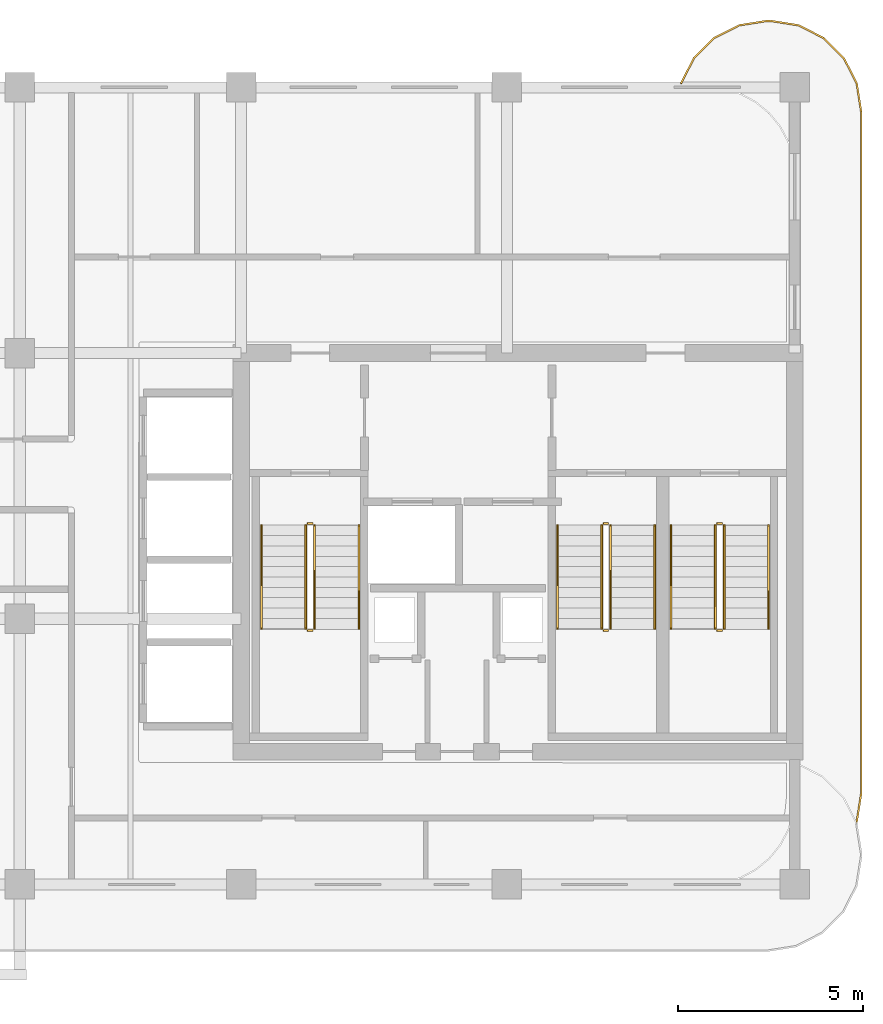
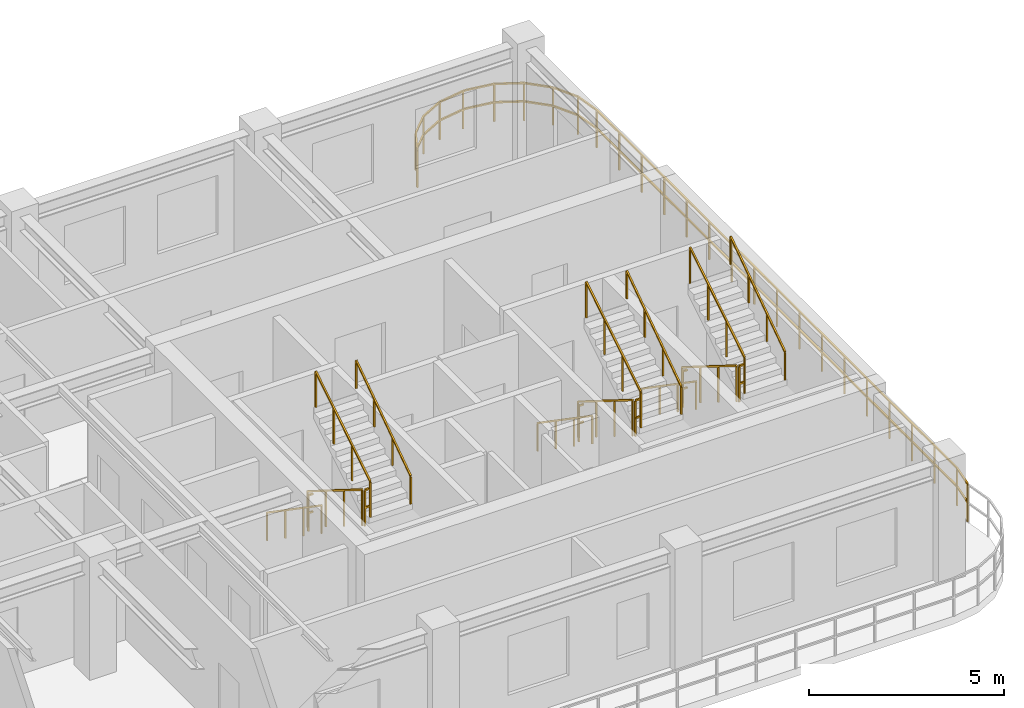
# One storey, part 7 of 7: 19 railings.
"""IFC4 building model written with IfcOpenShell, lengths in metres."""

from ifc_helpers import new_model, si_unit, derived_unit, direction, frame, origin, origin_2d, place, context, subcontext, project, spatial, rectangle, extrude, material, type_object, element, save


model = new_model("IFC4")

# Units and contexts
model_context = context("Model", 3, precision=1e-05, world=origin(), true_north=direction((0.0, 1.0)))
body_context = subcontext(model_context, "Body", "Model", "MODEL_VIEW")
ifc_project = project(units=[si_unit("LENGTHUNIT", "METRE"), si_unit("AREAUNIT", "SQUARE_METRE"), si_unit("VOLUMEUNIT", "CUBIC_METRE"), si_unit("PLANEANGLEUNIT", "RADIAN"), si_unit("MASSUNIT", "GRAM", prefix="KILO"), si_unit("THERMODYNAMICTEMPERATUREUNIT", "KELVIN"), si_unit("POWERUNIT", "WATT"), derived_unit("THERMALTRANSMITTANCEUNIT", [(si_unit("POWERUNIT", "WATT"), 1), (si_unit("AREAUNIT", "SQUARE_METRE"), -1), (si_unit("THERMODYNAMICTEMPERATUREUNIT", "KELVIN"), -1)])], contexts=[model_context])

# Site, building, storey
site_placement = place(None, origin())
site = spatial("IfcSite", under=ifc_project, at=site_placement, CompositionType="ELEMENT")
building_placement = place(site_placement, origin())
building = spatial("IfcBuilding", under=site, at=building_placement, Name="Zahravan Archway Hotel and Residences", CompositionType="ELEMENT")
storey_placement = place(building_placement, frame((0.0, 0.0, 251.949951171875)))
storey = spatial("IfcBuildingStorey", under=building, at=storey_placement, Name="L63", CompositionType="ELEMENT", Elevation=251.949951171875)

# Railings
ifc_material_1 = material(Name="Bronze & Laminated Glass Balustrade", Category="glass")
railing_type_1 = type_object("IfcRailingType", Name="RL-BAL-1200", PredefinedType="BALUSTRADE", material=ifc_material_1)
railing_1_placement = place(storey_placement, frame((46.719970703125, 21.70703125, 0.0)))
element("IfcRailing", 1, at=railing_1_placement, inside=storey, type_object=railing_type_1, Name="L63 Balustrade RL-SLB-BAL-L63-EA-1", PredefinedType="BALUSTRADE", context=body_context, shape_type="SweptSolid", body=[
    extrude(rectangle(XDim=0.048095703125, YDim=0.048095703125, at=origin_2d()), frame((0.0, 0.0, 1.17578125), z_axis=(0.453825591531, 0.891090529897, 0.0), x_axis=(-0.891090529897, 0.453825591531, 0.0)), (0.0, 0.0, 1.0), 0.7666015625),
    extrude(rectangle(XDim=0.048095703125, YDim=0.048095703125, at=origin_2d()), frame((0.0, 0.0, 0.60009765625), z_axis=(0.453825591531, 0.891090529897, 0.0), x_axis=(-0.891090529897, 0.453825591531, 0.0)), (0.0, 0.0, 1.0), 0.7666015625),
    extrude(rectangle(XDim=0.048095703125, YDim=0.048095703125, at=origin_2d()), frame((0.347900390625, 0.68310546875, 1.17578125), z_axis=(0.707106781187, 0.707106781187, 0.0), x_axis=(-0.707106781187, 0.707106781187, 0.0)), (0.0, 0.0, 1.0), 0.7666015625),
    extrude(rectangle(XDim=0.048095703125, YDim=0.048095703125, at=origin_2d()), frame((0.347900390625, 0.68310546875, 0.60009765625), z_axis=(0.707106781187, 0.707106781187, 0.0), x_axis=(-0.707106781187, 0.707106781187, 0.0)), (0.0, 0.0, 1.0), 0.7666015625),
    extrude(rectangle(XDim=0.048095703125, YDim=0.048095703125, at=origin_2d()), frame((0.889892578125, 1.22509765625, 1.17578125), z_axis=(0.891090529897, 0.453825591531, 0.0), x_axis=(-0.453825591531, 0.891090529897, 0.0)), (0.0, 0.0, 1.0), 0.7666015625),
    extrude(rectangle(XDim=0.048095703125, YDim=0.048095703125, at=origin_2d()), frame((0.889892578125, 1.22509765625, 0.60009765625), z_axis=(0.891090529897, 0.453825591531, 0.0), x_axis=(-0.453825591531, 0.891090529897, 0.0)), (0.0, 0.0, 1.0), 0.7666015625),
    extrude(rectangle(XDim=0.048095703125, YDim=0.048095703125, at=origin_2d()), frame((1.572998046875, 1.572998046875, 1.17578125), z_axis=(0.987695728695, 0.156387811283, 0.0), x_axis=(-0.156387811283, 0.987695728695, 0.0)), (0.0, 0.0, 1.0), 0.7666015625),
    extrude(rectangle(XDim=0.048095703125, YDim=0.048095703125, at=origin_2d()), frame((1.572998046875, 1.572998046875, 0.60009765625), z_axis=(0.987695728695, 0.156387811283, 0.0), x_axis=(-0.156387811283, 0.987695728695, 0.0)), (0.0, 0.0, 1.0), 0.7666015625),
    extrude(rectangle(XDim=0.048095703125, YDim=0.048095703125, at=origin_2d()), frame((2.330078125, 1.69287109375, 1.17578125), z_axis=(1.0, 0.0, 0.0), x_axis=(0.0, 1.0, 0.0)), (0.0, 0.0, 1.0), 0.099853515625),
    extrude(rectangle(XDim=0.048095703125, YDim=0.048095703125, at=origin_2d()), frame((2.330078125, 1.69287109375, 0.60009765625), z_axis=(1.0, 0.0, 0.0), x_axis=(0.0, 1.0, 0.0)), (0.0, 0.0, 1.0), 0.099853515625),
    extrude(rectangle(XDim=0.048095703125, YDim=0.048095703125, at=origin_2d()), frame((2.429931640625, 1.69287109375, 1.17578125), z_axis=(0.987695728695, -0.156387811283, 0.0), x_axis=(0.156387811283, 0.987695728695, 0.0)), (0.0, 0.0, 1.0), 0.7666015625),
    extrude(rectangle(XDim=0.048095703125, YDim=0.048095703125, at=origin_2d()), frame((2.429931640625, 1.69287109375, 0.60009765625), z_axis=(0.987695728695, -0.156387811283, 0.0), x_axis=(0.156387811283, 0.987695728695, 0.0)), (0.0, 0.0, 1.0), 0.7666015625),
    extrude(rectangle(XDim=0.048095703125, YDim=0.048095703125, at=origin_2d()), frame((3.18701171875, 1.572998046875, 1.17578125), z_axis=(0.891090529897, -0.453825591531, 0.0), x_axis=(0.453825591531, 0.891090529897, 0.0)), (0.0, 0.0, 1.0), 0.7666015625),
    extrude(rectangle(XDim=0.048095703125, YDim=0.048095703125, at=origin_2d()), frame((3.18701171875, 1.572998046875, 0.60009765625), z_axis=(0.891090529897, -0.453825591531, 0.0), x_axis=(0.453825591531, 0.891090529897, 0.0)), (0.0, 0.0, 1.0), 0.7666015625),
    extrude(rectangle(XDim=0.048095703125, YDim=0.048095703125, at=origin_2d()), frame((3.8701171875, 1.22509765625, 1.17578125), z_axis=(0.707106781187, -0.707106781187, 0.0), x_axis=(0.707106781187, 0.707106781187, 0.0)), (0.0, 0.0, 1.0), 0.7666015625),
    extrude(rectangle(XDim=0.048095703125, YDim=0.048095703125, at=origin_2d()), frame((3.8701171875, 1.22509765625, 0.60009765625), z_axis=(0.707106781187, -0.707106781187, 0.0), x_axis=(0.707106781187, 0.707106781187, 0.0)), (0.0, 0.0, 1.0), 0.7666015625),
    extrude(rectangle(XDim=0.048095703125, YDim=0.048095703125, at=origin_2d()), frame((4.412109375, 0.68310546875, 1.17578125), z_axis=(0.453825591531, -0.891090529897, 0.0), x_axis=(0.891090529897, 0.453825591531, 0.0)), (0.0, 0.0, 1.0), 0.7666015625),
    extrude(rectangle(XDim=0.048095703125, YDim=0.048095703125, at=origin_2d()), frame((4.412109375, 0.68310546875, 0.60009765625), z_axis=(0.453825591531, -0.891090529897, 0.0), x_axis=(0.891090529897, 0.453825591531, 0.0)), (0.0, 0.0, 1.0), 0.7666015625),
    extrude(rectangle(XDim=0.048095703125, YDim=0.048095703125, at=origin_2d()), frame((4.760009765625, 0.0, 1.17578125), z_axis=(0.156698507018, -0.987646484274, 0.0), x_axis=(0.987646484274, 0.156698507018, 0.0)), (0.0, 0.0, 1.0), 0.7666015625),
    extrude(rectangle(XDim=0.048095703125, YDim=0.048095703125, at=origin_2d()), frame((4.760009765625, 0.0, 0.60009765625), z_axis=(0.156698507018, -0.987646484274, 0.0), x_axis=(0.987646484274, 0.156698507018, 0.0)), (0.0, 0.0, 1.0), 0.7666015625),
    extrude(rectangle(XDim=0.048095703125, YDim=0.048095703125, at=origin_2d()), frame((4.880126953125, -0.757080078125, 1.17578125), z_axis=(0.0, -1.0, 0.0), x_axis=(1.0, 0.0, 0.0)), (0.0, 0.0, 1.0), 18.5),
    extrude(rectangle(XDim=0.048095703125, YDim=0.048095703125, at=origin_2d()), frame((4.880126953125, -0.757080078125, 0.60009765625), z_axis=(0.0, -1.0, 0.0), x_axis=(1.0, 0.0, 0.0)), (0.0, 0.0, 1.0), 18.5),
    extrude(rectangle(XDim=0.048095703125, YDim=0.048095703125, at=origin_2d()), frame((4.880126953125, -19.257080078125, 1.17578125), z_axis=(-0.156698507018, -0.987646484274, 0.0), x_axis=(0.987646484274, -0.156698507018, 0.0)), (0.0, 0.0, 1.0), 0.7666015625),
    extrude(rectangle(XDim=0.048095703125, YDim=0.048095703125, at=origin_2d()), frame((4.880126953125, -19.257080078125, 0.60009765625), z_axis=(-0.156698507018, -0.987646484274, 0.0), x_axis=(0.987646484274, -0.156698507018, 0.0)), (0.0, 0.0, 1.0), 0.7666015625),
    extrude(rectangle(XDim=0.0419921875, YDim=0.0419921875, at=origin_2d()), origin(), (0.0, 0.0, 1.0), 1.15185546875),
    extrude(rectangle(XDim=0.0419921875, YDim=0.0419921875, at=origin_2d()), frame((0.347900390625, 0.68310546875, 0.0)), (0.0, 0.0, 1.0), 1.15185546875),
    extrude(rectangle(XDim=0.0419921875, YDim=0.0419921875, at=origin_2d()), frame((0.889892578125, 1.22509765625, 0.0)), (0.0, 0.0, 1.0), 1.15185546875),
    extrude(rectangle(XDim=0.0419921875, YDim=0.0419921875, at=origin_2d()), frame((1.572998046875, 1.572998046875, 0.0)), (0.0, 0.0, 1.0), 1.15185546875),
    extrude(rectangle(XDim=0.0419921875, YDim=0.0419921875, at=origin_2d()), frame((2.330078125, 1.69287109375, 0.0)), (0.0, 0.0, 1.0), 1.15185546875),
    extrude(rectangle(XDim=0.0419921875, YDim=0.0419921875, at=origin_2d()), frame((3.18701171875, 1.572998046875, 0.0)), (0.0, 0.0, 1.0), 1.15185546875),
    extrude(rectangle(XDim=0.0419921875, YDim=0.0419921875, at=origin_2d()), frame((3.8701171875, 1.22509765625, 0.0)), (0.0, 0.0, 1.0), 1.15185546875),
    extrude(rectangle(XDim=0.0419921875, YDim=0.0419921875, at=origin_2d()), frame((4.412109375, 0.68310546875, 0.0)), (0.0, 0.0, 1.0), 1.15185546875),
    extrude(rectangle(XDim=0.0419921875, YDim=0.0419921875, at=origin_2d()), frame((4.760009765625, 0.0, 0.0)), (0.0, 0.0, 1.0), 1.15185546875),
    extrude(rectangle(XDim=0.0419921875, YDim=0.0419921875, at=origin_2d()), frame((4.880126953125, -0.757080078125, 0.0)), (0.0, 0.0, 1.0), 1.15185546875),
    extrude(rectangle(XDim=0.0419921875, YDim=0.0419921875, at=origin_2d()), frame((4.880126953125, -1.913330078125, 0.0)), (0.0, 0.0, 1.0), 1.15185546875),
    extrude(rectangle(XDim=0.0419921875, YDim=0.0419921875, at=origin_2d()), frame((4.880126953125, -3.069580078125, 0.0)), (0.0, 0.0, 1.0), 1.15185546875),
    extrude(rectangle(XDim=0.0419921875, YDim=0.0419921875, at=origin_2d()), frame((4.880126953125, -4.225830078125, 0.0)), (0.0, 0.0, 1.0), 1.15185546875),
    extrude(rectangle(XDim=0.0419921875, YDim=0.0419921875, at=origin_2d()), frame((4.880126953125, -5.382080078125, 0.0)), (0.0, 0.0, 1.0), 1.15185546875),
    extrude(rectangle(XDim=0.0419921875, YDim=0.0419921875, at=origin_2d()), frame((4.880126953125, -6.538330078125, 0.0)), (0.0, 0.0, 1.0), 1.15185546875),
    extrude(rectangle(XDim=0.0419921875, YDim=0.0419921875, at=origin_2d()), frame((4.880126953125, -7.694580078125, 0.0)), (0.0, 0.0, 1.0), 1.15185546875),
    extrude(rectangle(XDim=0.0419921875, YDim=0.0419921875, at=origin_2d()), frame((4.880126953125, -8.850830078125, 0.0)), (0.0, 0.0, 1.0), 1.15185546875),
    extrude(rectangle(XDim=0.0419921875, YDim=0.0419921875, at=origin_2d()), frame((4.880126953125, -10.007080078125, 0.0)), (0.0, 0.0, 1.0), 1.15185546875),
    extrude(rectangle(XDim=0.0419921875, YDim=0.0419921875, at=origin_2d()), frame((4.880126953125, -11.163330078125, 0.0)), (0.0, 0.0, 1.0), 1.15185546875),
    extrude(rectangle(XDim=0.0419921875, YDim=0.0419921875, at=origin_2d()), frame((4.880126953125, -12.319580078125, 0.0)), (0.0, 0.0, 1.0), 1.15185546875),
    extrude(rectangle(XDim=0.0419921875, YDim=0.0419921875, at=origin_2d()), frame((4.880126953125, -13.475830078125, 0.0)), (0.0, 0.0, 1.0), 1.15185546875),
    extrude(rectangle(XDim=0.0419921875, YDim=0.0419921875, at=origin_2d()), frame((4.880126953125, -14.632080078125, 0.0)), (0.0, 0.0, 1.0), 1.15185546875),
    extrude(rectangle(XDim=0.0419921875, YDim=0.0419921875, at=origin_2d()), frame((4.880126953125, -15.788330078125, 0.0)), (0.0, 0.0, 1.0), 1.15185546875),
    extrude(rectangle(XDim=0.0419921875, YDim=0.0419921875, at=origin_2d()), frame((4.880126953125, -16.944580078125, 0.0)), (0.0, 0.0, 1.0), 1.15185546875),
    extrude(rectangle(XDim=0.0419921875, YDim=0.0419921875, at=origin_2d()), frame((4.880126953125, -18.100830078125, 0.0)), (0.0, 0.0, 1.0), 1.15185546875),
    extrude(rectangle(XDim=0.0419921875, YDim=0.0419921875, at=origin_2d()), frame((4.880126953125, -19.257080078125, 0.0)), (0.0, 0.0, 1.0), 1.15185546875),
    extrude(rectangle(XDim=0.0419921875, YDim=0.0419921875, at=origin_2d()), frame((4.760009765625, -20.01416015625, 0.0)), (0.0, 0.0, 1.0), 1.15185546875),
])
ifc_material_2 = material(Name="Painted Tubular Steel", Category="steel")
railing_type_2 = type_object("IfcRailingType", Name="RL-STG-1150", PredefinedType="GUARDRAIL", material=ifc_material_2)
railing_2_placement = place(storey_placement, frame((36.550048828125, 9.72998046875, 0.175048828125)))
element("IfcRailing", 2, at=railing_2_placement, inside=storey, type_object=railing_type_2, Name="L63 ST-A1 stair guard 1", PredefinedType="GUARDRAIL", context=body_context, shape_type="SweptSolid", body=[
    extrude(rectangle(XDim=0.048095703125, YDim=0.048095703125, at=origin_2d()), frame((0.0, 0.0, 1.1259765625), z_axis=(0.0, -0.848002457836, 0.529992293815), x_axis=(1.0, 0.0, 0.0)), (0.0, 0.0, 1.0), 3.302001953125),
    extrude(rectangle(XDim=0.0419921875, YDim=0.0419921875, at=origin_2d()), origin(), (0.0, 0.0, 1.0), 1.101806640625),
    extrude(rectangle(XDim=0.0419921875, YDim=0.0419921875, at=origin_2d()), frame((0.0, -0.933349609375, 0.583251953125)), (0.0, 0.0, 1.0), 1.101806640625),
    extrude(rectangle(XDim=0.0419921875, YDim=0.0419921875, at=origin_2d()), frame((0.0, -1.86669921875, 1.166748046875)), (0.0, 0.0, 1.0), 1.101806640625),
    extrude(rectangle(XDim=0.0419921875, YDim=0.0419921875, at=origin_2d()), frame((0.0, -2.800048828125, 1.75)), (0.0, 0.0, 1.0), 1.101806640625),
])
railing_3_placement = place(storey_placement, frame((36.60009765625, 6.8798828125, 1.925048828125)))
element("IfcRailing", 3, at=railing_3_placement, inside=storey, type_object=railing_type_2, Name="L63 ST-A1 stair guard 2", PredefinedType="GUARDRAIL", context=body_context, shape_type="SweptSolid", body=[
    extrude(rectangle(XDim=0.048095703125, YDim=0.048095703125, at=origin_2d()), frame((0.0, 0.0, 1.1259765625), z_axis=(1.0, 0.0, 0.0), x_axis=(0.0, 1.0, 0.0)), (0.0, 0.0, 1.0), 0.139892578125),
    extrude(rectangle(XDim=0.048095703125, YDim=0.048095703125, at=origin_2d()), frame((0.0, 0.0, 0.574951171875), z_axis=(1.0, 0.0, 0.0), x_axis=(0.0, 1.0, 0.0)), (0.0, 0.0, 1.0), 0.139892578125),
    extrude(rectangle(XDim=0.0419921875, YDim=0.0419921875, at=origin_2d()), origin(), (0.0, 0.0, 1.0), 1.101806640625),
])
railing_4_placement = place(storey_placement, frame((36.7900390625, 6.929931640625, 2.10009765625)))
element("IfcRailing", 4, at=railing_4_placement, inside=storey, type_object=railing_type_2, Name="L63 ST-A1 stair guard 3", PredefinedType="GUARDRAIL", context=body_context, shape_type="SweptSolid", body=[
    extrude(rectangle(XDim=0.048095703125, YDim=0.048095703125, at=origin_2d()), frame((0.0, 0.0, 1.1259765625), z_axis=(0.0, 0.848002457836, 0.529992293815), x_axis=(-1.0, 0.0, 0.0)), (0.0, 0.0, 1.0), 3.302001953125),
    extrude(rectangle(XDim=0.0419921875, YDim=0.0419921875, at=origin_2d()), origin(), (0.0, 0.0, 1.0), 1.101806640625),
    extrude(rectangle(XDim=0.0419921875, YDim=0.0419921875, at=origin_2d()), frame((0.0, 0.933349609375, 0.583251953125)), (0.0, 0.0, 1.0), 1.101806640625),
    extrude(rectangle(XDim=0.0419921875, YDim=0.0419921875, at=origin_2d()), frame((0.0, 1.86669921875, 1.166748046875)), (0.0, 0.0, 1.0), 1.101806640625),
    extrude(rectangle(XDim=0.0419921875, YDim=0.0419921875, at=origin_2d()), frame((0.0, 2.800048828125, 1.75)), (0.0, 0.0, 1.0), 1.101806640625),
])
railing_5_placement = place(storey_placement, frame((36.60009765625, 9.780029296875, 0.0)))
element("IfcRailing", 5, at=railing_5_placement, inside=storey, type_object=railing_type_2, Name="L63 ST-A1 stair guard 4", PredefinedType="GUARDRAIL", context=body_context, shape_type="SweptSolid", body=[
    extrude(rectangle(XDim=0.048095703125, YDim=0.048095703125, at=origin_2d()), frame((0.0, 0.0, 1.1259765625), z_axis=(1.0, 0.0, 0.0), x_axis=(0.0, 1.0, 0.0)), (0.0, 0.0, 1.0), 0.139892578125),
    extrude(rectangle(XDim=0.048095703125, YDim=0.048095703125, at=origin_2d()), frame((0.0, 0.0, 0.574951171875), z_axis=(1.0, 0.0, 0.0), x_axis=(0.0, 1.0, 0.0)), (0.0, 0.0, 1.0), 0.139892578125),
    extrude(rectangle(XDim=0.0419921875, YDim=0.0419921875, at=origin_2d()), origin(), (0.0, 0.0, 1.0), 1.101806640625),
])
railing_6_placement = place(storey_placement, frame((44.570068359375, 9.72998046875, 0.175048828125)))
element("IfcRailing", 6, at=railing_6_placement, inside=storey, type_object=railing_type_2, Name="L63 ST-A2 stair guard 1", PredefinedType="GUARDRAIL", context=body_context, shape_type="SweptSolid", body=[
    extrude(rectangle(XDim=0.048095703125, YDim=0.048095703125, at=origin_2d()), frame((0.0, 0.0, 1.1259765625), z_axis=(0.0, -0.848002457836, 0.529992293815), x_axis=(1.0, 0.0, 0.0)), (0.0, 0.0, 1.0), 3.302001953125),
    extrude(rectangle(XDim=0.0419921875, YDim=0.0419921875, at=origin_2d()), origin(), (0.0, 0.0, 1.0), 1.101806640625),
    extrude(rectangle(XDim=0.0419921875, YDim=0.0419921875, at=origin_2d()), frame((0.0, -0.933349609375, 0.583251953125)), (0.0, 0.0, 1.0), 1.101806640625),
    extrude(rectangle(XDim=0.0419921875, YDim=0.0419921875, at=origin_2d()), frame((0.0, -1.86669921875, 1.166748046875)), (0.0, 0.0, 1.0), 1.101806640625),
    extrude(rectangle(XDim=0.0419921875, YDim=0.0419921875, at=origin_2d()), frame((0.0, -2.800048828125, 1.75)), (0.0, 0.0, 1.0), 1.101806640625),
])
railing_7_placement = place(storey_placement, frame((44.6201171875, 6.8798828125, 1.925048828125)))
element("IfcRailing", 7, at=railing_7_placement, inside=storey, type_object=railing_type_2, Name="L63 ST-A2 stair guard 2", PredefinedType="GUARDRAIL", context=body_context, shape_type="SweptSolid", body=[
    extrude(rectangle(XDim=0.048095703125, YDim=0.048095703125, at=origin_2d()), frame((0.0, 0.0, 1.1259765625), z_axis=(1.0, 0.0, 0.0), x_axis=(0.0, 1.0, 0.0)), (0.0, 0.0, 1.0), 0.139892578125),
    extrude(rectangle(XDim=0.048095703125, YDim=0.048095703125, at=origin_2d()), frame((0.0, 0.0, 0.574951171875), z_axis=(1.0, 0.0, 0.0), x_axis=(0.0, 1.0, 0.0)), (0.0, 0.0, 1.0), 0.139892578125),
    extrude(rectangle(XDim=0.0419921875, YDim=0.0419921875, at=origin_2d()), origin(), (0.0, 0.0, 1.0), 1.101806640625),
])
railing_8_placement = place(storey_placement, frame((44.81005859375, 6.929931640625, 2.10009765625)))
element("IfcRailing", 8, at=railing_8_placement, inside=storey, type_object=railing_type_2, Name="L63 ST-A2 stair guard 3", PredefinedType="GUARDRAIL", context=body_context, shape_type="SweptSolid", body=[
    extrude(rectangle(XDim=0.048095703125, YDim=0.048095703125, at=origin_2d()), frame((0.0, 0.0, 1.1259765625), z_axis=(0.0, 0.848002457836, 0.529992293815), x_axis=(-1.0, 0.0, 0.0)), (0.0, 0.0, 1.0), 3.302001953125),
    extrude(rectangle(XDim=0.0419921875, YDim=0.0419921875, at=origin_2d()), origin(), (0.0, 0.0, 1.0), 1.101806640625),
    extrude(rectangle(XDim=0.0419921875, YDim=0.0419921875, at=origin_2d()), frame((0.0, 0.933349609375, 0.583251953125)), (0.0, 0.0, 1.0), 1.101806640625),
    extrude(rectangle(XDim=0.0419921875, YDim=0.0419921875, at=origin_2d()), frame((0.0, 1.86669921875, 1.166748046875)), (0.0, 0.0, 1.0), 1.101806640625),
    extrude(rectangle(XDim=0.0419921875, YDim=0.0419921875, at=origin_2d()), frame((0.0, 2.800048828125, 1.75)), (0.0, 0.0, 1.0), 1.101806640625),
])
railing_9_placement = place(storey_placement, frame((44.6201171875, 9.780029296875, 0.0)))
element("IfcRailing", 9, at=railing_9_placement, inside=storey, type_object=railing_type_2, Name="L63 ST-A2 stair guard 4", PredefinedType="GUARDRAIL", context=body_context, shape_type="SweptSolid", body=[
    extrude(rectangle(XDim=0.048095703125, YDim=0.048095703125, at=origin_2d()), frame((0.0, 0.0, 1.1259765625), z_axis=(1.0, 0.0, 0.0), x_axis=(0.0, 1.0, 0.0)), (0.0, 0.0, 1.0), 0.139892578125),
    extrude(rectangle(XDim=0.048095703125, YDim=0.048095703125, at=origin_2d()), frame((0.0, 0.0, 0.574951171875), z_axis=(1.0, 0.0, 0.0), x_axis=(0.0, 1.0, 0.0)), (0.0, 0.0, 1.0), 0.139892578125),
    extrude(rectangle(XDim=0.0419921875, YDim=0.0419921875, at=origin_2d()), origin(), (0.0, 0.0, 1.0), 1.101806640625),
])
railing_10_placement = place(storey_placement, frame((47.64990234375, 9.72998046875, 0.175048828125)))
element("IfcRailing", 10, at=railing_10_placement, inside=storey, type_object=railing_type_2, Name="L63 ST-A3 stair guard 1", PredefinedType="GUARDRAIL", context=body_context, shape_type="SweptSolid", body=[
    extrude(rectangle(XDim=0.048095703125, YDim=0.048095703125, at=origin_2d()), frame((0.0, 0.0, 1.1259765625), z_axis=(0.0, -0.848002457836, 0.529992293815), x_axis=(1.0, 0.0, 0.0)), (0.0, 0.0, 1.0), 3.302001953125),
    extrude(rectangle(XDim=0.0419921875, YDim=0.0419921875, at=origin_2d()), origin(), (0.0, 0.0, 1.0), 1.101806640625),
    extrude(rectangle(XDim=0.0419921875, YDim=0.0419921875, at=origin_2d()), frame((0.0, -0.933349609375, 0.583251953125)), (0.0, 0.0, 1.0), 1.101806640625),
    extrude(rectangle(XDim=0.0419921875, YDim=0.0419921875, at=origin_2d()), frame((0.0, -1.86669921875, 1.166748046875)), (0.0, 0.0, 1.0), 1.101806640625),
    extrude(rectangle(XDim=0.0419921875, YDim=0.0419921875, at=origin_2d()), frame((0.0, -2.800048828125, 1.75)), (0.0, 0.0, 1.0), 1.101806640625),
])
railing_11_placement = place(storey_placement, frame((47.699951171875, 6.8798828125, 1.925048828125)))
element("IfcRailing", 11, at=railing_11_placement, inside=storey, type_object=railing_type_2, Name="L63 ST-A3 stair guard 2", PredefinedType="GUARDRAIL", context=body_context, shape_type="SweptSolid", body=[
    extrude(rectangle(XDim=0.048095703125, YDim=0.048095703125, at=origin_2d()), frame((0.0, 0.0, 1.1259765625), z_axis=(1.0, 0.0, 0.0), x_axis=(0.0, 1.0, 0.0)), (0.0, 0.0, 1.0), 0.14013671875),
    extrude(rectangle(XDim=0.048095703125, YDim=0.048095703125, at=origin_2d()), frame((0.0, 0.0, 0.574951171875), z_axis=(1.0, 0.0, 0.0), x_axis=(0.0, 1.0, 0.0)), (0.0, 0.0, 1.0), 0.14013671875),
    extrude(rectangle(XDim=0.0419921875, YDim=0.0419921875, at=origin_2d()), origin(), (0.0, 0.0, 1.0), 1.101806640625),
])
railing_12_placement = place(storey_placement, frame((47.889892578125, 6.929931640625, 2.10009765625)))
element("IfcRailing", 12, at=railing_12_placement, inside=storey, type_object=railing_type_2, Name="L63 ST-A3 stair guard 3", PredefinedType="GUARDRAIL", context=body_context, shape_type="SweptSolid", body=[
    extrude(rectangle(XDim=0.048095703125, YDim=0.048095703125, at=origin_2d()), frame((0.0, 0.0, 1.1259765625), z_axis=(0.0, 0.848002457836, 0.529992293815), x_axis=(-1.0, 0.0, 0.0)), (0.0, 0.0, 1.0), 3.302001953125),
    extrude(rectangle(XDim=0.0419921875, YDim=0.0419921875, at=origin_2d()), origin(), (0.0, 0.0, 1.0), 1.101806640625),
    extrude(rectangle(XDim=0.0419921875, YDim=0.0419921875, at=origin_2d()), frame((0.0, 0.933349609375, 0.583251953125)), (0.0, 0.0, 1.0), 1.101806640625),
    extrude(rectangle(XDim=0.0419921875, YDim=0.0419921875, at=origin_2d()), frame((0.0, 1.86669921875, 1.166748046875)), (0.0, 0.0, 1.0), 1.101806640625),
    extrude(rectangle(XDim=0.0419921875, YDim=0.0419921875, at=origin_2d()), frame((0.0, 2.800048828125, 1.75)), (0.0, 0.0, 1.0), 1.101806640625),
])
railing_13_placement = place(storey_placement, frame((47.699951171875, 9.780029296875, 0.0)))
element("IfcRailing", 13, at=railing_13_placement, inside=storey, type_object=railing_type_2, Name="L63 ST-A3 stair guard 4", PredefinedType="GUARDRAIL", context=body_context, shape_type="SweptSolid", body=[
    extrude(rectangle(XDim=0.048095703125, YDim=0.048095703125, at=origin_2d()), frame((0.0, 0.0, 1.1259765625), z_axis=(1.0, 0.0, 0.0), x_axis=(0.0, 1.0, 0.0)), (0.0, 0.0, 1.0), 0.14013671875),
    extrude(rectangle(XDim=0.048095703125, YDim=0.048095703125, at=origin_2d()), frame((0.0, 0.0, 0.574951171875), z_axis=(1.0, 0.0, 0.0), x_axis=(0.0, 1.0, 0.0)), (0.0, 0.0, 1.0), 0.14013671875),
    extrude(rectangle(XDim=0.0419921875, YDim=0.0419921875, at=origin_2d()), origin(), (0.0, 0.0, 1.0), 1.101806640625),
])
ifc_material_3 = material(Name="Brushed Stainless Steel", Category="steel")
railing_type_3 = type_object("IfcRailingType", Name="RL-STH-900", PredefinedType="HANDRAIL", material=ifc_material_3)
railing_14_placement = place(storey_placement, frame((35.35009765625, 9.72998046875, 0.175048828125)))
element("IfcRailing", 14, at=railing_14_placement, inside=storey, type_object=railing_type_3, Name="L63 ST-A1 stair handrail 1", PredefinedType="HANDRAIL", context=body_context, shape_type="SweptSolid", body=[
    extrude(rectangle(XDim=0.048095703125, YDim=0.048095703125, at=origin_2d()), frame((0.0, 0.0, 0.8759765625), z_axis=(0.0, -0.824039827795, 0.566531872191), x_axis=(1.0, 0.0, 0.0)), (0.0, 0.0, 1.0), 3.39794921875),
    extrude(rectangle(XDim=0.0419921875, YDim=0.0419921875, at=origin_2d()), origin(), (0.0, 0.0, 1.0), 0.851806640625),
    extrude(rectangle(XDim=0.0419921875, YDim=0.0419921875, at=origin_2d()), frame((0.0, -0.933349609375, 0.6416015625)), (0.0, 0.0, 1.0), 0.851806640625),
    extrude(rectangle(XDim=0.0419921875, YDim=0.0419921875, at=origin_2d()), frame((0.0, -1.86669921875, 1.283447265625)), (0.0, 0.0, 1.0), 0.851806640625),
    extrude(rectangle(XDim=0.0419921875, YDim=0.0419921875, at=origin_2d()), frame((0.0, -2.800048828125, 1.925048828125)), (0.0, 0.0, 1.0), 0.851806640625),
])
railing_15_placement = place(storey_placement, frame((37.989990234375, 6.929931640625, 2.10009765625)))
element("IfcRailing", 15, at=railing_15_placement, inside=storey, type_object=railing_type_3, Name="L63 ST-A1 stair handrail 2", PredefinedType="HANDRAIL", context=body_context, shape_type="SweptSolid", body=[
    extrude(rectangle(XDim=0.048095703125, YDim=0.048095703125, at=origin_2d()), frame((0.0, 0.0, 0.8759765625), z_axis=(0.0, 0.824039827795, 0.566531872191), x_axis=(-1.0, 0.0, 0.0)), (0.0, 0.0, 1.0), 3.39794921875),
    extrude(rectangle(XDim=0.0419921875, YDim=0.0419921875, at=origin_2d()), origin(), (0.0, 0.0, 1.0), 0.851806640625),
    extrude(rectangle(XDim=0.0419921875, YDim=0.0419921875, at=origin_2d()), frame((0.0, 0.933349609375, 0.6416015625)), (0.0, 0.0, 1.0), 0.851806640625),
    extrude(rectangle(XDim=0.0419921875, YDim=0.0419921875, at=origin_2d()), frame((0.0, 1.86669921875, 1.283447265625)), (0.0, 0.0, 1.0), 0.851806640625),
    extrude(rectangle(XDim=0.0419921875, YDim=0.0419921875, at=origin_2d()), frame((0.0, 2.800048828125, 1.925048828125)), (0.0, 0.0, 1.0), 0.851806640625),
])
railing_16_placement = place(storey_placement, frame((43.3701171875, 9.72998046875, 0.175048828125)))
element("IfcRailing", 16, at=railing_16_placement, inside=storey, type_object=railing_type_3, Name="L63 ST-A2 stair handrail 1", PredefinedType="HANDRAIL", context=body_context, shape_type="SweptSolid", body=[
    extrude(rectangle(XDim=0.048095703125, YDim=0.048095703125, at=origin_2d()), frame((0.0, 0.0, 0.8759765625), z_axis=(0.0, -0.824039827795, 0.566531872191), x_axis=(1.0, 0.0, 0.0)), (0.0, 0.0, 1.0), 3.39794921875),
    extrude(rectangle(XDim=0.0419921875, YDim=0.0419921875, at=origin_2d()), origin(), (0.0, 0.0, 1.0), 0.851806640625),
    extrude(rectangle(XDim=0.0419921875, YDim=0.0419921875, at=origin_2d()), frame((0.0, -0.933349609375, 0.6416015625)), (0.0, 0.0, 1.0), 0.851806640625),
    extrude(rectangle(XDim=0.0419921875, YDim=0.0419921875, at=origin_2d()), frame((0.0, -1.86669921875, 1.283447265625)), (0.0, 0.0, 1.0), 0.851806640625),
    extrude(rectangle(XDim=0.0419921875, YDim=0.0419921875, at=origin_2d()), frame((0.0, -2.800048828125, 1.925048828125)), (0.0, 0.0, 1.0), 0.851806640625),
])
railing_17_placement = place(storey_placement, frame((46.010009765625, 6.929931640625, 2.10009765625)))
element("IfcRailing", 17, at=railing_17_placement, inside=storey, type_object=railing_type_3, Name="L63 ST-A2 stair handrail 2", PredefinedType="HANDRAIL", context=body_context, shape_type="SweptSolid", body=[
    extrude(rectangle(XDim=0.048095703125, YDim=0.048095703125, at=origin_2d()), frame((0.0, 0.0, 0.8759765625), z_axis=(0.0, 0.824039827795, 0.566531872191), x_axis=(-1.0, 0.0, 0.0)), (0.0, 0.0, 1.0), 3.39794921875),
    extrude(rectangle(XDim=0.0419921875, YDim=0.0419921875, at=origin_2d()), origin(), (0.0, 0.0, 1.0), 0.851806640625),
    extrude(rectangle(XDim=0.0419921875, YDim=0.0419921875, at=origin_2d()), frame((0.0, 0.933349609375, 0.6416015625)), (0.0, 0.0, 1.0), 0.851806640625),
    extrude(rectangle(XDim=0.0419921875, YDim=0.0419921875, at=origin_2d()), frame((0.0, 1.86669921875, 1.283447265625)), (0.0, 0.0, 1.0), 0.851806640625),
    extrude(rectangle(XDim=0.0419921875, YDim=0.0419921875, at=origin_2d()), frame((0.0, 2.800048828125, 1.925048828125)), (0.0, 0.0, 1.0), 0.851806640625),
])
railing_18_placement = place(storey_placement, frame((46.449951171875, 9.72998046875, 0.175048828125)))
element("IfcRailing", 18, at=railing_18_placement, inside=storey, type_object=railing_type_3, Name="L63 ST-A3 stair handrail 1", PredefinedType="HANDRAIL", context=body_context, shape_type="SweptSolid", body=[
    extrude(rectangle(XDim=0.048095703125, YDim=0.048095703125, at=origin_2d()), frame((0.0, 0.0, 0.8759765625), z_axis=(0.0, -0.824039827795, 0.566531872191), x_axis=(1.0, 0.0, 0.0)), (0.0, 0.0, 1.0), 3.39794921875),
    extrude(rectangle(XDim=0.0419921875, YDim=0.0419921875, at=origin_2d()), origin(), (0.0, 0.0, 1.0), 0.851806640625),
    extrude(rectangle(XDim=0.0419921875, YDim=0.0419921875, at=origin_2d()), frame((0.0, -0.933349609375, 0.6416015625)), (0.0, 0.0, 1.0), 0.851806640625),
    extrude(rectangle(XDim=0.0419921875, YDim=0.0419921875, at=origin_2d()), frame((0.0, -1.86669921875, 1.283447265625)), (0.0, 0.0, 1.0), 0.851806640625),
    extrude(rectangle(XDim=0.0419921875, YDim=0.0419921875, at=origin_2d()), frame((0.0, -2.800048828125, 1.925048828125)), (0.0, 0.0, 1.0), 0.851806640625),
])
railing_19_placement = place(storey_placement, frame((49.090087890625, 6.929931640625, 2.10009765625)))
element("IfcRailing", 19, at=railing_19_placement, inside=storey, type_object=railing_type_3, Name="L63 ST-A3 stair handrail 2", PredefinedType="HANDRAIL", context=body_context, shape_type="SweptSolid", body=[
    extrude(rectangle(XDim=0.048095703125, YDim=0.048095703125, at=origin_2d()), frame((0.0, 0.0, 0.8759765625), z_axis=(0.0, 0.824039827795, 0.566531872191), x_axis=(-1.0, 0.0, 0.0)), (0.0, 0.0, 1.0), 3.39794921875),
    extrude(rectangle(XDim=0.0419921875, YDim=0.0419921875, at=origin_2d()), origin(), (0.0, 0.0, 1.0), 0.851806640625),
    extrude(rectangle(XDim=0.0419921875, YDim=0.0419921875, at=origin_2d()), frame((0.0, 0.933349609375, 0.6416015625)), (0.0, 0.0, 1.0), 0.851806640625),
    extrude(rectangle(XDim=0.0419921875, YDim=0.0419921875, at=origin_2d()), frame((0.0, 1.86669921875, 1.283447265625)), (0.0, 0.0, 1.0), 0.851806640625),
    extrude(rectangle(XDim=0.0419921875, YDim=0.0419921875, at=origin_2d()), frame((0.0, 2.800048828125, 1.925048828125)), (0.0, 0.0, 1.0), 0.851806640625),
])

save(model, "model.ifc")
